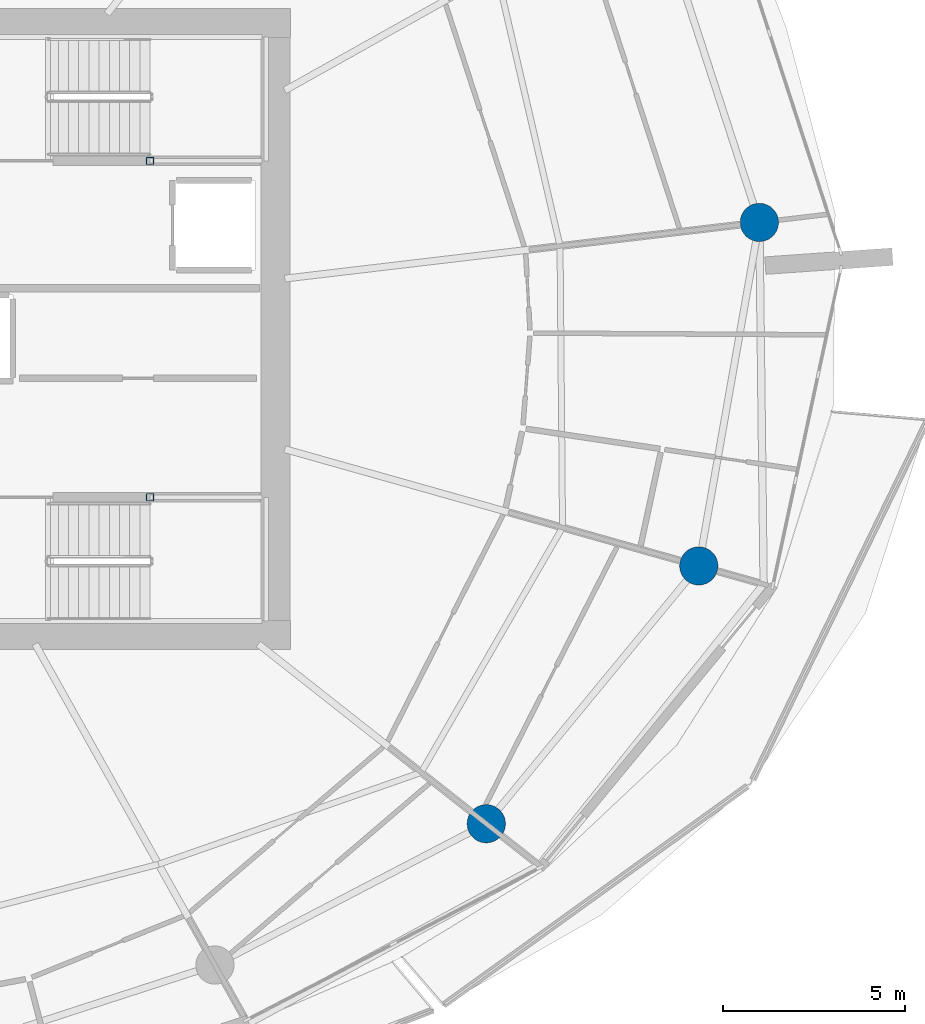
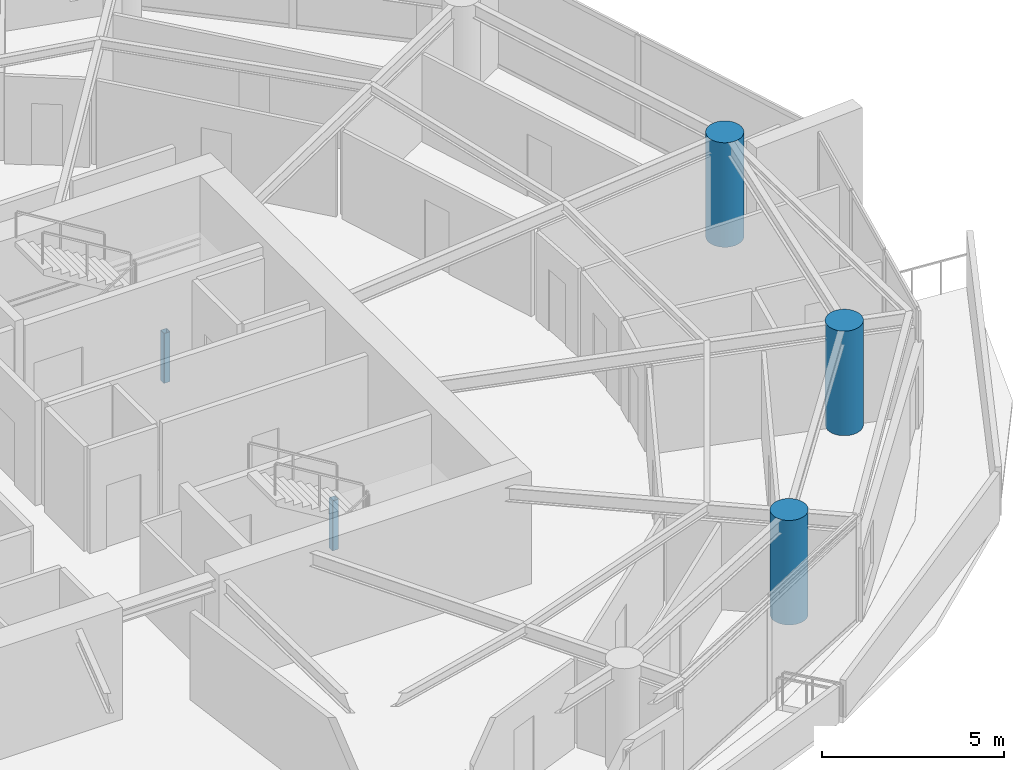
# One storey, part 3 of 20: 5 columns.
"""IFC4 building model written with IfcOpenShell, lengths in metres."""

import ifcopenshell
import ifcopenshell.guid

model = None  # the IFC model being written
_history = None  # IfcOwnerHistory: only IFC2X3 demands one
_inside = {}  # id of a spatial element -> (the spatial element, [elements in it])
_under = {}  # id of a project, library or spatial element -> (it, [spatial elements below it])
_declared = {}  # id of a project -> (the project, [libraries it declares])
_typed = {}  # id of a type object -> (the type object, [elements of that type])
_made_of = {}  # id of a material, layer set ... -> (it, [elements and type objects made of it])


def new_model(schema):
    """Start an empty IFC model of exactly this schema.

    Asked for "IFC4X3", IfcOpenShell would pick the latest addendum, in which some entities
    have other attributes; the version numbers below select the first issue.
    IFC2X3 requires an IfcOwnerHistory on every rooted entity: one is made here for all.
    """
    global model, _history
    if schema == "IFC4X3":
        model = ifcopenshell.file(schema_version=(4, 3, 0, 0))
    else:
        model = ifcopenshell.file(schema=schema)
    _inside.clear()
    _under.clear()
    _declared.clear()
    _typed.clear()
    _made_of.clear()
    _history = None
    if model.schema == "IFC2X3":
        org = make("IfcOrganization", Name="unknown")
        user = make(
            "IfcPersonAndOrganization",
            ThePerson=make("IfcPerson", FamilyName="unknown"),
            TheOrganization=org,
        )
        app = make(
            "IfcApplication",
            ApplicationDeveloper=org,
            Version="unknown",
            ApplicationFullName="unknown",
            ApplicationIdentifier="unknown",
        )
        _history = make(
            "IfcOwnerHistory",
            OwningUser=user,
            OwningApplication=app,
            ChangeAction="ADDED",
            CreationDate=0,
        )
    return model


def make(cls, **values):
    """One entity of the class cls with the attributes given. An attribute that is None is left unset."""
    return model.create_entity(
        cls, **{name: value for name, value in values.items() if value is not None}
    )


def rooted(cls, **values):
    """An entity with a GlobalId (a new one), such as an element, a storey or a relation."""
    return make(cls, GlobalId=ifcopenshell.guid.new(), OwnerHistory=_history, **values)


def si_unit(unit_type, name, prefix=None):
    """IfcSIUnit, for example si_unit("LENGTHUNIT", "METRE", prefix="MILLI")."""
    return make("IfcSIUnit", UnitType=unit_type, Prefix=prefix, Name=name)


def assignment(units):
    """IfcUnitAssignment: the units of a project."""
    return None if units is None else make("IfcUnitAssignment", Units=units)


def point(xyz):
    """IfcCartesianPoint."""
    return None if xyz is None else make("IfcCartesianPoint", Coordinates=xyz)


def direction(xyz):
    """IfcDirection."""
    return None if xyz is None else make("IfcDirection", DirectionRatios=xyz)


def frame(location, z_axis=None, x_axis=None):
    """IfcAxis2Placement3D, a coordinate frame: its origin and axes. An axis left out is left unset."""
    return make(
        "IfcAxis2Placement3D",
        Location=point(location),
        Axis=direction(z_axis),
        RefDirection=direction(x_axis),
    )


def frame_2d(location, x_axis=None):
    """IfcAxis2Placement2D, a coordinate frame in the plane: its origin and x axis."""
    return make(
        "IfcAxis2Placement2D", Location=point(location), RefDirection=direction(x_axis)
    )


def origin():
    """The frame at (0, 0, 0) with its axes left unset."""
    return frame((0.0, 0.0, 0.0))


def origin_2d():
    """The frame at (0, 0) in the plane with its x axis left unset."""
    return frame_2d((0.0, 0.0))


def place(relative_to, where):
    """IfcLocalPlacement: puts the frame where relative to a parent placement (None: the world)."""
    return make(
        "IfcLocalPlacement", PlacementRelTo=relative_to, RelativePlacement=where
    )


def context(
    kind, dimensions, precision=None, world=None, true_north=None, identifier=None
):
    """IfcGeometricRepresentationContext, for example the 3D "Model" context."""
    return make(
        "IfcGeometricRepresentationContext",
        ContextIdentifier=identifier,
        ContextType=kind,
        CoordinateSpaceDimension=dimensions,
        Precision=precision,
        WorldCoordinateSystem=world,
        TrueNorth=true_north,
    )


def subcontext(parent, identifier, kind, view, scale=None):
    """IfcGeometricRepresentationSubContext, for example "Body" below "Model"."""
    return make(
        "IfcGeometricRepresentationSubContext",
        ContextIdentifier=identifier,
        ContextType=kind,
        ParentContext=parent,
        TargetScale=scale,
        TargetView=view,
    )


def project(units=None, contexts=None):
    """IfcProject with its units and contexts."""
    return rooted(
        "IfcProject",
        Name="project",
        RepresentationContexts=contexts,
        UnitsInContext=assignment(units),
    )


def spatial(cls, under=None, at=None, **own):
    """A site, building, storey or space (cls), placed at a placement, below another one or the project."""
    s = rooted(cls, ObjectPlacement=at, **own)
    if under is not None:
        _under.setdefault(under.id(), (under, []))[1].append(s)
    return s


def profile(cls, at=None, kind="AREA", **sizes):
    """A parametric profile (cls). Its sizes go by their IFC names, for example OverallWidth=200.0."""
    return make(cls, ProfileType=kind, Position=at, **sizes)


def hollow_rectangle(**sizes):
    """IfcRectangleHollowProfileDef."""
    return profile("IfcRectangleHollowProfileDef", **sizes)


def circle(**sizes):
    """IfcCircleProfileDef."""
    return profile("IfcCircleProfileDef", **sizes)


def extrude(swept, where, along, depth):
    """IfcExtrudedAreaSolid: the profile swept, set in the frame where, extruded along a direction by depth."""
    return make(
        "IfcExtrudedAreaSolid",
        SweptArea=swept,
        Position=where,
        ExtrudedDirection=direction(along),
        Depth=depth,
    )


def shape(context_of_items, identifier, shape_type, items):
    """IfcShapeRepresentation: the items that make up one representation, for example the "Body"."""
    return make(
        "IfcShapeRepresentation",
        ContextOfItems=context_of_items,
        RepresentationIdentifier=identifier,
        RepresentationType=shape_type,
        Items=items,
    )


def material(Name=None, Category=None):
    """IfcMaterial."""
    return make("IfcMaterial", Name=Name, Category=Category)


def material_profile(
    of_material, cross_section, Name=None, Category=None, Priority=None
):
    """IfcMaterialProfile: a cross section and its material."""
    return make(
        "IfcMaterialProfile",
        Name=Name,
        Material=of_material,
        Profile=cross_section,
        Priority=Priority,
        Category=Category,
    )


def profile_set(profiles, Name=None, composite=None):
    """IfcMaterialProfileSet."""
    return make(
        "IfcMaterialProfileSet",
        Name=Name,
        MaterialProfiles=profiles,
        CompositeProfile=composite,
    )


def made_of(thing, what):
    """Note that an element or type object is made of a material, layer set ...; save() writes the relation."""
    if what is not None:
        _made_of.setdefault(what.id(), (what, []))[1].append(thing)
    return thing


def type_object(cls, material=None, **own):
    """A type object (cls), such as IfcWallType, which elements share."""
    return made_of(rooted(cls, **own), material)


def element(
    cls,
    number,
    at=None,
    inside=None,
    cuts=None,
    type_object=None,
    material=None,
    context=None,
    identifier="Body",
    shape_type=None,
    held_by="IfcProductDefinitionShape",
    body=None,
    shapes=None,
    **own,
):
    """One element of the class cls, such as IfcWall. Its Tag is "e" and its number.

    at: its placement. inside: the storey or other place that contains it. cuts: it is an
    opening in that element (IfcRelVoidsElement). A single representation is given by context,
    identifier, shape_type and body (its items); several are given by shapes. held_by: the class
    of the entity that holds the representations. save() writes the other relations.
    """
    e = rooted(cls, Tag="e%d" % number, ObjectPlacement=at, **own)
    if body is not None:
        shapes = [shape(context, identifier, shape_type, body)]
    if shapes is not None:
        e.Representation = make(held_by, Representations=shapes)
    if inside is not None:
        _inside.setdefault(inside.id(), (inside, []))[1].append(e)
    if cuts is not None:
        rooted(
            "IfcRelVoidsElement", RelatingBuildingElement=cuts, RelatedOpeningElement=e
        )
    if type_object is not None:
        _typed.setdefault(type_object.id(), (type_object, []))[1].append(e)
    return made_of(e, material)


def aggregate(whole, parts):
    """IfcRelAggregates: a whole, such as a stair, and the parts it consists of."""
    return rooted("IfcRelAggregates", RelatingObject=whole, RelatedObjects=parts)


def save(model, path):
    """Write the relations noted so far, then the file.

    IfcRelAggregates (storeys below a building ...), IfcRelContainedInSpatialStructure (elements
    in a storey), IfcRelDefinesByType, IfcRelAssociatesMaterial and IfcRelDeclares: one each for
    every whole, place, type object, material and project.
    """
    for whole, parts in _under.values():
        aggregate(whole, parts)
    for where, things in _inside.values():
        rooted(
            "IfcRelContainedInSpatialStructure",
            RelatedElements=things,
            RelatingStructure=where,
        )
    for kind, things in _typed.values():
        rooted("IfcRelDefinesByType", RelatedObjects=things, RelatingType=kind)
    for what, things in _made_of.values():
        rooted("IfcRelAssociatesMaterial", RelatedObjects=things, RelatingMaterial=what)
    for by, libraries in _declared.values():
        rooted("IfcRelDeclares", RelatingContext=by, RelatedDefinitions=libraries)
    model.write(path)


model = new_model("IFC4")

# Units and contexts
model_context = context("Model", 3, precision=1e-05, world=origin(), true_north=direction((0.0, 1.0)))
body_context = subcontext(model_context, "Body", "Model", "MODEL_VIEW")
ifc_project = project(units=[si_unit("LENGTHUNIT", "METRE"), si_unit("AREAUNIT", "SQUARE_METRE"), si_unit("VOLUMEUNIT", "CUBIC_METRE"), si_unit("PLANEANGLEUNIT", "RADIAN"), si_unit("MASSUNIT", "GRAM", prefix="KILO")], contexts=[model_context])

# Site, building, storey
site_placement = place(None, origin())
site = spatial("IfcSite", under=ifc_project, at=site_placement, CompositionType="ELEMENT")
building_placement = place(site_placement, origin())
building = spatial("IfcBuilding", under=site, at=building_placement, Name="Kazma Halo Residences", CompositionType="ELEMENT")
storey_placement = place(building_placement, frame((0.0, 0.0, 150.300048828125)))
storey = spatial("IfcBuildingStorey", under=building, at=storey_placement, Name="L37", CompositionType="ELEMENT", Elevation=150.300048828125)

# Columns
ifc_material_1 = material(Name="Steel S355", Category="steel")
ifc_material_profile_1 = material_profile(ifc_material_1, hollow_rectangle(XDim=0.199951171875, YDim=0.199951171875, WallThickness=0.010009765625, InnerFilletRadius=0.010009765625, OuterFilletRadius=0.02001953125, at=origin_2d()), Name="SHS200x200x10")
ifc_profile_set_1 = profile_set([ifc_material_profile_1], Name="Steel S355")
column_type_1 = type_object("IfcColumnType", Name="COL-LP-SHS200", PredefinedType="COLUMN", material=ifc_profile_set_1)
for number, where, z_axis, x_axis, name in (
    (1, (56.0, 46.6201171875, 0.0), (0.0, 0.0, 1.0), (1.0, 0.0, 0.0), "L37 ST-02 landing pilaster 1"),
    (2, (56.0, 37.3798828125, 0.0), (0.0, 0.0, 1.0), (1.0, 0.0, 0.0), "L37 ST-03 landing pilaster 1"),
):
    element("IfcColumn", number, at=place(storey_placement, frame(where, z_axis=z_axis, x_axis=x_axis)), inside=storey, type_object=column_type_1, Name=name, PredefinedType="COLUMN", context=body_context, shape_type="SweptSolid", body=[
        extrude(hollow_rectangle(XDim=0.199951171875, YDim=0.199951171875, WallThickness=0.010009765625, InnerFilletRadius=0.010009765625, OuterFilletRadius=0.02001953125, at=origin_2d()), origin(), (0.0, 0.0, 1.0), 1.669921875),
    ])
ifc_material_2 = material(Name="Concrete C80/95", Category="concrete")
ifc_material_profile_2 = material_profile(ifc_material_2, circle(Radius=0.52490234375, at=origin_2d()), Name="CIRC1050")
ifc_profile_set_2 = profile_set([ifc_material_profile_2], Name="Concrete C80/95")
column_type_2 = type_object("IfcColumnType", Name="COL-PERIM-1050", PredefinedType="COLUMN", material=ifc_profile_set_2)
for number, where, z_axis, x_axis, name in (
    (3, (65.234375, 28.41357421875, 0.0), (0.0, 0.0, 1.0), (1.0, 0.0, 0.0), "L37 perimeter ring column P14"),
    (4, (71.06982421875, 35.49365234375, 0.0), (0.0, 0.0, 1.0), (1.0, 0.0, 0.0), "L37 perimeter ring column P15"),
    (5, (72.733154296875, 44.927490234375, 0.0), (0.0, 0.0, 1.0), (1.0, 0.0, 0.0), "L37 perimeter ring column P16"),
):
    element("IfcColumn", number, at=place(storey_placement, frame(where, z_axis=z_axis, x_axis=x_axis)), inside=storey, type_object=column_type_2, Name=name, PredefinedType="COLUMN", context=body_context, shape_type="SweptSolid", body=[
        extrude(circle(Radius=0.52490234375, at=origin_2d()), origin(), (0.0, 0.0, 1.0), 3.5),
    ])

save(model, "model.ifc")
